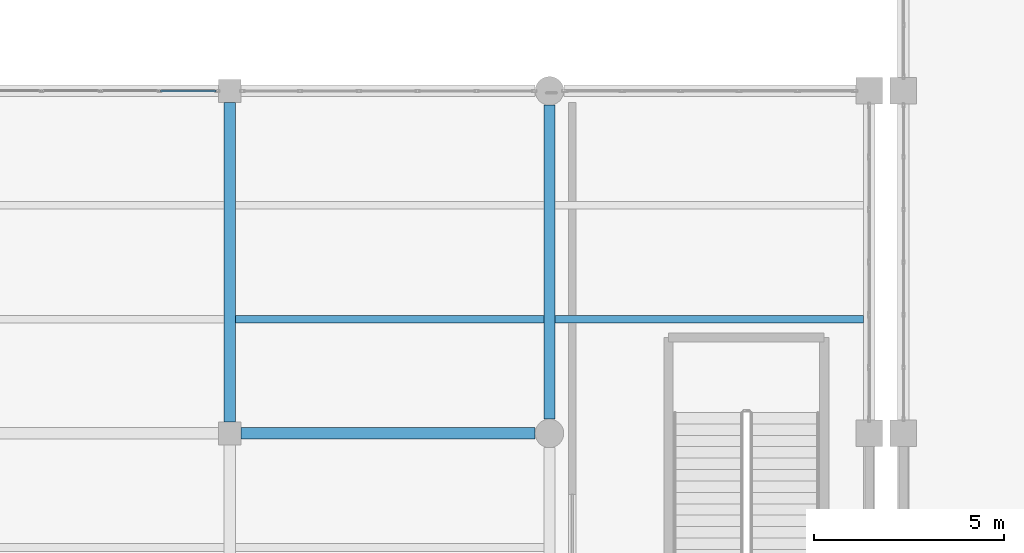
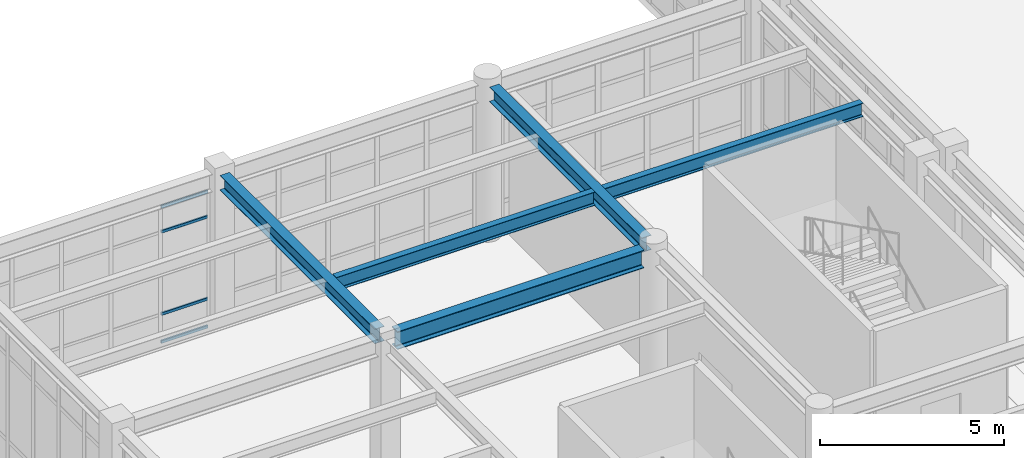
# One storey, part 41 of 80: 5 beams, 4 members, 1 element without a shape of its own.
"""IFC4 building model written with IfcOpenShell, lengths in metres."""

from ifc_helpers import new_model, si_unit, direction, frame, origin, origin_2d, place, context, subcontext, project, spatial, hollow_rectangle, i_section, extrude, material, material_profile, profile_set, type_object, element, aggregate, save


model = new_model("IFC4")

# Units and contexts
model_context = context("Model", 3, precision=1e-05, world=origin(), true_north=direction((0.0, 1.0)))
body_context = subcontext(model_context, "Body", "Model", "MODEL_VIEW")
ifc_project = project(units=[si_unit("LENGTHUNIT", "METRE"), si_unit("AREAUNIT", "SQUARE_METRE"), si_unit("VOLUMEUNIT", "CUBIC_METRE"), si_unit("PLANEANGLEUNIT", "RADIAN"), si_unit("MASSUNIT", "GRAM", prefix="KILO")], contexts=[model_context])

# Site, building, storey
site_placement = place(None, origin())
site = spatial("IfcSite", under=ifc_project, at=site_placement, CompositionType="ELEMENT")
building_placement = place(site_placement, origin())
building = spatial("IfcBuilding", under=site, at=building_placement, Name="Canglan Escarpment Cableway Terminal", CompositionType="ELEMENT")
storey_placement = place(building_placement, frame((0.0, 0.0, 19.199951171875)))
storey = spatial("IfcBuildingStorey", under=building, at=storey_placement, Name="L04", CompositionType="ELEMENT", Elevation=19.199951171875)

# Beams
ifc_material_1 = material(Name="Steel Q355B", Category="steel")
ifc_material_profile_1 = material_profile(ifc_material_1, i_section(OverallWidth=0.300048828125, OverallDepth=0.488037109375, WebThickness=0.010986328125, FlangeThickness=0.01806640625, FilletRadius=0.02587890625, at=origin_2d()), Name="HM 488x300x11x18")
ifc_profile_set_1 = profile_set([ifc_material_profile_1], Name="Steel Q355B")
beam_type_1 = type_object("IfcBeamType", Name="BM-HM488", PredefinedType="BEAM", material=ifc_profile_set_1)
beam_1_placement = place(storey_placement, frame((119.89990234375, 106.300048828125, 4.885986328125), z_axis=(0.0, 1.0, 0.0), x_axis=(-1.0, 0.0, 0.0)))
element("IfcBeam", 1, at=beam_1_placement, inside=storey, type_object=beam_type_1, Name="Primary transverse girder B-09", PredefinedType="BEAM", context=body_context, shape_type="SweptSolid", body=[
    extrude(i_section(OverallWidth=0.300048828125, OverallDepth=0.488037109375, WebThickness=0.010986328125, FlangeThickness=0.01806640625, FilletRadius=0.02587890625, at=origin_2d()), origin(), (0.0, 0.0, 1.0), 8.39990234375),
])
beam_2_placement = place(storey_placement, frame((128.300048828125, 106.375, 4.916015625), z_axis=(0.0, 1.0, 0.0), x_axis=(-1.0, 0.0, 0.0)))
element("IfcBeam", 2, at=beam_2_placement, inside=storey, type_object=beam_type_1, Name="Primary transverse girder B-09", PredefinedType="BEAM", context=body_context, shape_type="SweptSolid", body=[
    extrude(i_section(OverallWidth=0.300048828125, OverallDepth=0.488037109375, WebThickness=0.010986328125, FlangeThickness=0.01806640625, FilletRadius=0.02587890625, at=origin_2d()), origin(), (0.0, 0.0, 1.0), 8.25),
])
ifc_material_2 = material(Name="Steel Q355C", Category="steel")
ifc_material_profile_2 = material_profile(ifc_material_2, i_section(OverallWidth=0.302001953125, OverallDepth=0.593994140625, WebThickness=0.013916015625, FlangeThickness=0.02294921875, FilletRadius=0.028076171875, at=origin_2d()), Name="HM 594x302x14x23")
ifc_profile_set_2 = profile_set([ifc_material_profile_2], Name="Steel Q355C")
beam_type_2 = type_object("IfcBeamType", Name="BM-HM594", PredefinedType="BEAM", material=ifc_profile_set_2)
beam_3_placement = place(storey_placement, frame((120.199951171875, 106.0, 4.863037109375), z_axis=(1.0, 0.0, 0.0), x_axis=(0.0, 1.0, 0.0)))
element("IfcBeam", 3, at=beam_3_placement, inside=storey, type_object=beam_type_2, Name="Primary structural girder B-07", PredefinedType="BEAM", context=body_context, shape_type="SweptSolid", body=[
    extrude(i_section(OverallWidth=0.302001953125, OverallDepth=0.593994140625, WebThickness=0.013916015625, FlangeThickness=0.02294921875, FilletRadius=0.028076171875, at=origin_2d()), origin(), (0.0, 0.0, 1.0), 7.72509765625),
])

# Curtain wall, members
ifc_material_3 = material(Name="Anodized bronze aluminium and Low-E double glazing", Category="aluminium")
curtain_wall_type = type_object("IfcCurtainWallType", Name="CW-BAY-7750x4525", PredefinedType="NOTDEFINED", material=ifc_material_3)
curtain_wall_placement = place(storey_placement, origin())
curtain_wall = element("IfcCurtainWall", 4, at=curtain_wall_placement, inside=storey, type_object=curtain_wall_type, Name="Classical bay-between-piers glazed curtain wall CW-52", PredefinedType="NOTDEFINED")
ifc_material_4 = material(Name="Thermally broken anodized aluminium 6063-T6", Category="aluminium")
ifc_material_profile_3 = material_profile(ifc_material_4, hollow_rectangle(XDim=0.054931640625, YDim=0.094970703125, WallThickness=0.0029296875, InnerFilletRadius=0.0029296875, OuterFilletRadius=0.006103515625, at=origin_2d()), Name="ALU-TRAN 55x95x3")
ifc_profile_set_3 = profile_set([ifc_material_profile_3], Name="Thermally broken anodized aluminium 6063-T6")
member_type = type_object("IfcMemberType", Name="CWT-01", PredefinedType="USERDEFINED", material=ifc_profile_set_3)
member_1_placement = place(storey_placement, frame((119.5400390625, 115.0, 0.027587890625), z_axis=(-1.0, 0.0, 0.0), x_axis=(0.0, -1.0, 0.0)))
member_1 = element("IfcMember", 5, at=member_1_placement, type_object=member_type, Name="CW-52 transom 1.1", ObjectType="TRANSOM", PredefinedType="USERDEFINED", context=body_context, shape_type="SweptSolid", body=[
    extrude(hollow_rectangle(XDim=0.054931640625, YDim=0.094970703125, WallThickness=0.0029296875, InnerFilletRadius=0.0029296875, OuterFilletRadius=0.006103515625, at=origin_2d()), origin(), (0.0, 0.0, 1.0), 1.4599609375),
])
member_2_placement = place(storey_placement, frame((119.5400390625, 115.0, 0.949951171875), z_axis=(-1.0, 0.0, 0.0), x_axis=(0.0, -1.0, 0.0)))
member_2 = element("IfcMember", 6, at=member_2_placement, type_object=member_type, Name="CW-52 transom 1.2", ObjectType="TRANSOM", PredefinedType="USERDEFINED", context=body_context, shape_type="SweptSolid", body=[
    extrude(hollow_rectangle(XDim=0.054931640625, YDim=0.094970703125, WallThickness=0.0029296875, InnerFilletRadius=0.0029296875, OuterFilletRadius=0.006103515625, at=origin_2d()), origin(), (0.0, 0.0, 1.0), 1.4599609375),
])
member_3_placement = place(storey_placement, frame((119.5400390625, 115.0, 3.671142578125), z_axis=(-1.0, 0.0, 0.0), x_axis=(0.0, -1.0, 0.0)))
member_3 = element("IfcMember", 7, at=member_3_placement, type_object=member_type, Name="CW-52 transom 1.3", ObjectType="TRANSOM", PredefinedType="USERDEFINED", context=body_context, shape_type="SweptSolid", body=[
    extrude(hollow_rectangle(XDim=0.054931640625, YDim=0.094970703125, WallThickness=0.0029296875, InnerFilletRadius=0.0029296875, OuterFilletRadius=0.006103515625, at=origin_2d()), origin(), (0.0, 0.0, 1.0), 1.4599609375),
])
member_4_placement = place(storey_placement, frame((119.5400390625, 115.0, 4.49365234375), z_axis=(-1.0, 0.0, 0.0), x_axis=(0.0, -1.0, 0.0)))
member_4 = element("IfcMember", 8, at=member_4_placement, type_object=member_type, Name="CW-52 transom 1.4", ObjectType="TRANSOM", PredefinedType="USERDEFINED", context=body_context, shape_type="SweptSolid", body=[
    extrude(hollow_rectangle(XDim=0.054931640625, YDim=0.094970703125, WallThickness=0.0029296875, InnerFilletRadius=0.0029296875, OuterFilletRadius=0.006103515625, at=origin_2d()), origin(), (0.0, 0.0, 1.0), 1.4599609375),
])
aggregate(curtain_wall, [member_1, member_2, member_3, member_4])

# Beams
ifc_material_profile_4 = material_profile(ifc_material_1, i_section(OverallWidth=0.199951171875, OverallDepth=0.449951171875, WebThickness=0.009033203125, FlangeThickness=0.013916015625, FilletRadius=0.01806640625, at=origin_2d()), Name="HN 450x200x9x14")
ifc_profile_set_4 = profile_set([ifc_material_profile_4], Name="Steel Q355B")
beam_type_3 = type_object("IfcBeamType", Name="JS-HN450", PredefinedType="JOIST", material=ifc_profile_set_4)
beam_4_placement = place(storey_placement, frame((120.050048828125, 109.0, 4.93505859375), z_axis=(1.0, 0.0, 0.0), x_axis=(0.0, 1.0, 0.0)))
element("IfcBeam", 9, at=beam_4_placement, inside=storey, type_object=beam_type_3, Name="Secondary composite deck joist J-02", PredefinedType="JOIST", context=body_context, shape_type="SweptSolid", body=[
    extrude(i_section(OverallWidth=0.199951171875, OverallDepth=0.449951171875, WebThickness=0.009033203125, FlangeThickness=0.013916015625, FilletRadius=0.01806640625, at=origin_2d()), origin(), (0.0, 0.0, 1.0), 8.099853515625),
])
beam_5_placement = place(storey_placement, frame((128.449951171875, 109.0, 4.93505859375), z_axis=(1.0, 0.0, 0.0), x_axis=(0.0, 1.0, 0.0)))
element("IfcBeam", 10, at=beam_5_placement, inside=storey, type_object=beam_type_3, Name="Secondary composite deck joist J-02", PredefinedType="JOIST", context=body_context, shape_type="SweptSolid", body=[
    extrude(i_section(OverallWidth=0.199951171875, OverallDepth=0.449951171875, WebThickness=0.009033203125, FlangeThickness=0.013916015625, FilletRadius=0.01806640625, at=origin_2d()), origin(), (0.0, 0.0, 1.0), 8.10009765625),
])

save(model, "model.ifc")
